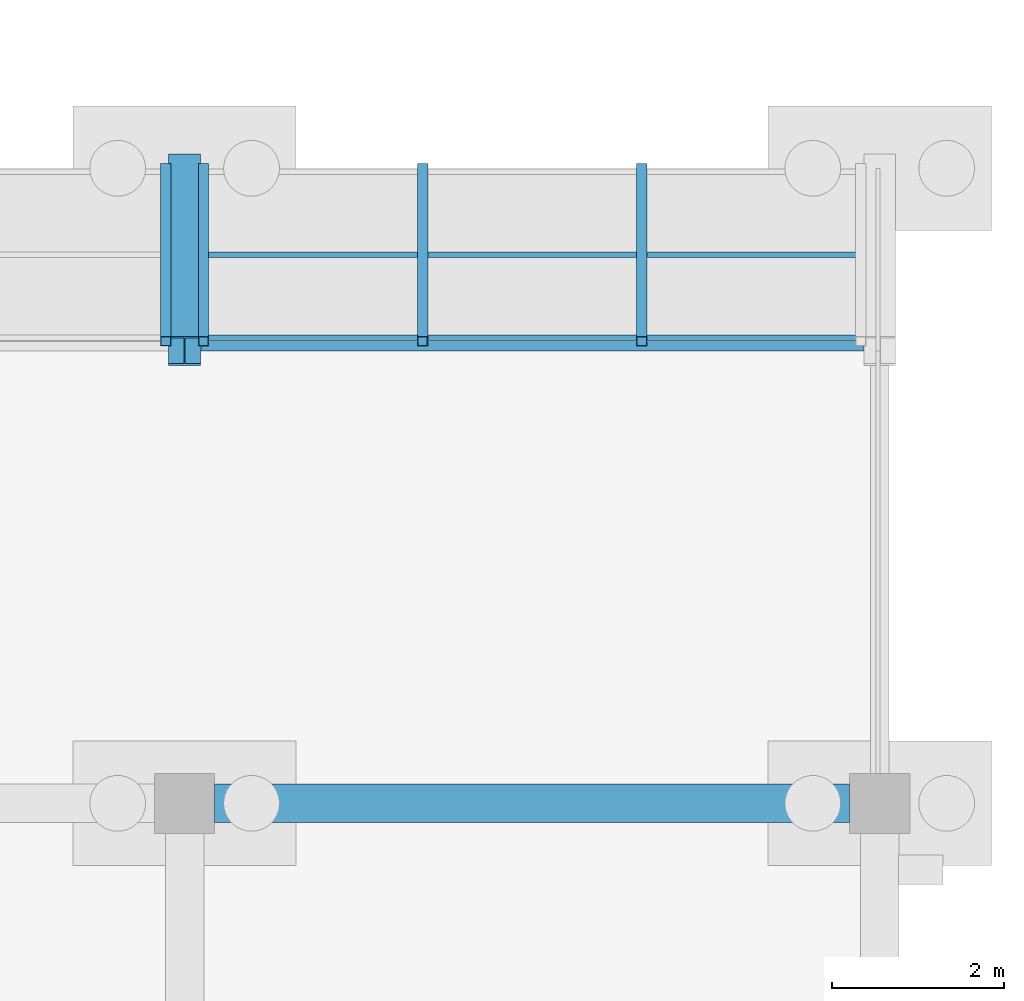
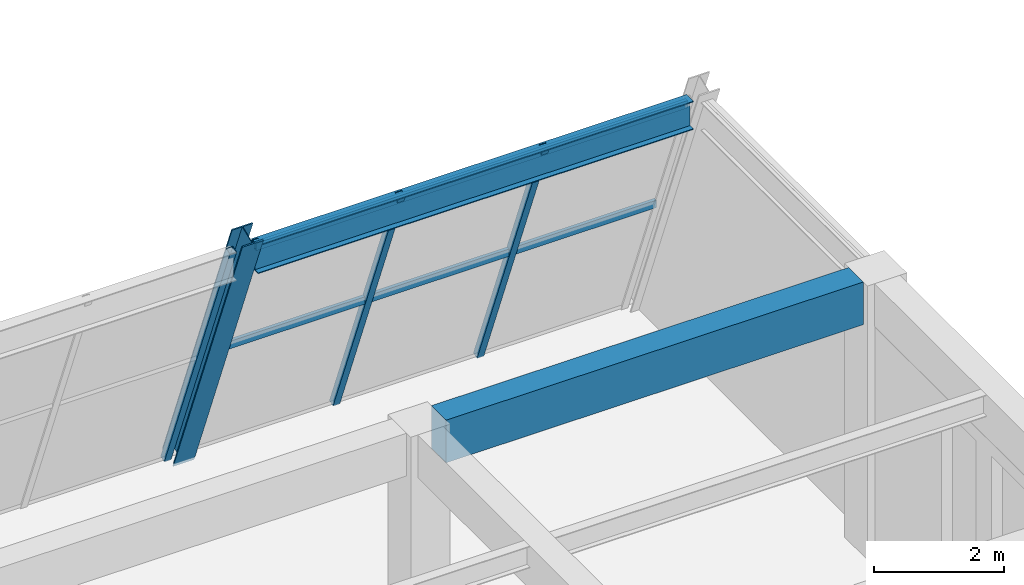
# One storey, part 86 of 140: 7 members, 2 beams, 2 elements without a shape of their own.
"""IFC4 building model written with IfcOpenShell, lengths in metres."""

from ifc_helpers import new_model, si_unit, direction, frame, origin, origin_2d, place, context, subcontext, project, spatial, rectangle, hollow_rectangle, i_section, extrude, material, material_profile, profile_set, type_object, element, aggregate, save


model = new_model("IFC4")

# Units and contexts
model_context = context("Model", 3, precision=1e-05, world=origin(), true_north=direction((0.0, 1.0)))
body_context = subcontext(model_context, "Body", "Model", "MODEL_VIEW")
ifc_project = project(units=[si_unit("LENGTHUNIT", "METRE"), si_unit("AREAUNIT", "SQUARE_METRE"), si_unit("VOLUMEUNIT", "CUBIC_METRE"), si_unit("PLANEANGLEUNIT", "RADIAN"), si_unit("MASSUNIT", "GRAM", prefix="KILO")], contexts=[model_context])

# Site, building, storey
site_placement = place(None, origin())
site = spatial("IfcSite", under=ifc_project, at=site_placement, CompositionType="ELEMENT")
building_placement = place(site_placement, origin())
building = spatial("IfcBuilding", under=site, at=building_placement, Name="Cimatlan Art Gallery", CompositionType="ELEMENT")
storey_placement = place(building_placement, origin())
storey = spatial("IfcBuildingStorey", under=building, at=storey_placement, Name="L00", CompositionType="ELEMENT", Elevation=0.0)

# Beams
ifc_material_1 = material(Name="Concrete C40/50", Category="concrete")
ifc_material_profile_1 = material_profile(ifc_material_1, rectangle(XDim=0.449951171875, YDim=0.800048828125, at=origin_2d()), Name="RC450X800")
ifc_profile_set_1 = profile_set([ifc_material_profile_1], Name="Concrete C40/50")
beam_type_1 = type_object("IfcBeamType", Name="BM-RC-450X800", PredefinedType="BEAM", material=ifc_profile_set_1)
beam_1_placement = place(storey_placement, frame((123.85009765625, 90.5, 4.735107421875), z_axis=(1.0, 0.0, 0.0), x_axis=(0.0, 1.0, 0.0)))
element("IfcBeam", 1, at=beam_1_placement, inside=storey, type_object=beam_type_1, Name="BM-X-L00-15-12", PredefinedType="BEAM", context=body_context, shape_type="SweptSolid", body=[
    extrude(rectangle(XDim=0.449951171875, YDim=0.800048828125, at=origin_2d()), origin(), (0.0, 0.0, 1.0), 7.39990234375),
])
ifc_material_2 = material(Name="Steel ASTM A992 Grade 50", Category="steel")
ifc_material_profile_2 = material_profile(ifc_material_2, i_section(OverallWidth=0.2099609375, OverallDepth=0.532958984375, WebThickness=0.01025390625, FlangeThickness=0.015625, at=origin_2d()), Name="W21X62")
ifc_profile_set_2 = profile_set([ifc_material_profile_2], Name="Steel ASTM A992 Grade 50")
beam_type_2 = type_object("IfcBeamType", Name="BM-STL-W21X62", PredefinedType="BEAM", material=ifc_profile_set_2)
beam_2_placement = place(storey_placement, frame((123.68994140625, 95.877197265625, 4.868408203125), z_axis=(1.0, 0.0, 0.0), x_axis=(0.0, 1.0, 0.0)))
element("IfcBeam", 2, at=beam_2_placement, inside=storey, type_object=beam_type_2, Name="BM-PRW-X-L00-B4-15", PredefinedType="BEAM", context=body_context, shape_type="SweptSolid", body=[
    extrude(i_section(OverallWidth=0.2099609375, OverallDepth=0.532958984375, WebThickness=0.01025390625, FlangeThickness=0.015625, at=origin_2d()), origin(), (0.0, 0.0, 1.0), 7.719970703125),
])

# Curtain wall, member
ifc_material_3 = material(Name="Raked steel-and-bronze lancet curtain wall", Category="steel")
curtain_wall_type = type_object("IfcCurtainWallType", Name="CW-RAK-07660X05503-B3", PredefinedType="NOTDEFINED", material=ifc_material_3)
curtain_wall_1_placement = place(storey_placement, origin())
curtain_wall_1 = element("IfcCurtainWall", 3, at=curtain_wall_1_placement, inside=storey, type_object=curtain_wall_type, Name="CW-PROW-L00-B4-14", PredefinedType="NOTDEFINED")
ifc_material_4 = material(Name="Steel ASTM A500 Grade C", Category="steel")
ifc_material_profile_3 = material_profile(ifc_material_4, hollow_rectangle(XDim=0.1201171875, YDim=0.1201171875, WallThickness=0.00634765625, at=origin_2d()), Name="HSS120X120X6")
ifc_profile_set_3 = profile_set([ifc_material_profile_3], Name="Steel ASTM A500 Grade C")
member_type_1 = type_object("IfcMemberType", Name="CW-MUL-RAK", PredefinedType="MULLION", material=ifc_profile_set_3)
member_1_placement = place(storey_placement, frame((123.280029296875, 97.89990234375, 0.0), z_axis=(0.0, -0.366459344578, 0.930434064709), x_axis=(1.0, 0.0, 0.0)))
member_1 = element("IfcMember", 4, at=member_1_placement, type_object=member_type_1, Name="CW-PROW-L00-B4-14-M4", PredefinedType="MULLION", context=body_context, shape_type="SweptSolid", body=[
    extrude(hollow_rectangle(XDim=0.1201171875, YDim=0.1201171875, WallThickness=0.00634765625, at=origin_2d()), origin(), (0.0, 0.0, 1.0), 5.5029296875),
])
aggregate(curtain_wall_1, [member_1])

# Curtain wall, members
curtain_wall_2_placement = place(storey_placement, origin())
curtain_wall_2 = element("IfcCurtainWall", 5, at=curtain_wall_2_placement, inside=storey, type_object=curtain_wall_type, Name="CW-PROW-L00-B4-15", PredefinedType="NOTDEFINED")
member_2_placement = place(storey_placement, frame((123.719970703125, 97.89990234375, 0.0), z_axis=(0.0, -0.366459344578, 0.930434064709), x_axis=(1.0, 0.0, 0.0)))
member_2 = element("IfcMember", 6, at=member_2_placement, type_object=member_type_1, Name="CW-PROW-L00-B4-15-M1", PredefinedType="MULLION", context=body_context, shape_type="SweptSolid", body=[
    extrude(hollow_rectangle(XDim=0.1201171875, YDim=0.1201171875, WallThickness=0.00634765625, at=origin_2d()), origin(), (0.0, 0.0, 1.0), 5.5029296875),
])
member_3_placement = place(storey_placement, frame((126.273193359375, 97.89990234375, 0.0), z_axis=(0.0, -0.366459344578, 0.930434064709), x_axis=(1.0, 0.0, 0.0)))
member_3 = element("IfcMember", 7, at=member_3_placement, type_object=member_type_1, Name="CW-PROW-L00-B4-15-M2", PredefinedType="MULLION", context=body_context, shape_type="SweptSolid", body=[
    extrude(hollow_rectangle(XDim=0.1201171875, YDim=0.1201171875, WallThickness=0.00634765625, at=origin_2d()), origin(), (0.0, 0.0, 1.0), 5.5029296875),
])
member_4_placement = place(storey_placement, frame((128.82666015625, 97.89990234375, 0.0), z_axis=(0.0, -0.366459344578, 0.930434064709), x_axis=(1.0, 0.0, 0.0)))
member_4 = element("IfcMember", 8, at=member_4_placement, type_object=member_type_1, Name="CW-PROW-L00-B4-15-M3", PredefinedType="MULLION", context=body_context, shape_type="SweptSolid", body=[
    extrude(hollow_rectangle(XDim=0.1201171875, YDim=0.1201171875, WallThickness=0.00634765625, at=origin_2d()), origin(), (0.0, 0.0, 1.0), 5.5029296875),
])
ifc_material_5 = material(Name="Anodised bronze aluminium 6063-T6", Category="aluminium")
ifc_material_profile_4 = material_profile(ifc_material_5, hollow_rectangle(XDim=0.06494140625, YDim=0.139892578125, WallThickness=0.00390625, at=origin_2d()), Name="ALU65X140X4")
ifc_profile_set_4 = profile_set([ifc_material_profile_4], Name="Anodised bronze aluminium 6063-T6")
member_type_2 = type_object("IfcMemberType", Name="CW-TRN-140", PredefinedType="USERDEFINED", material=ifc_profile_set_4)
member_5_placement = place(storey_placement, frame((123.719970703125, 96.8916015625, 2.56005859375), z_axis=(1.0, 0.0, 0.0), x_axis=(0.0, 1.0, 0.0)))
member_5 = element("IfcMember", 9, at=member_5_placement, type_object=member_type_2, Name="CW-PROW-L00-B4-15-T2", ObjectType="TRANSOM", PredefinedType="USERDEFINED", context=body_context, shape_type="SweptSolid", body=[
    extrude(hollow_rectangle(XDim=0.06494140625, YDim=0.139892578125, WallThickness=0.00390625, at=origin_2d()), origin(), (0.0, 0.0, 1.0), 7.659912109375),
])
member_6_placement = place(storey_placement, frame((123.719970703125, 95.923583984375, 5.017578125), z_axis=(1.0, 0.0, 0.0), x_axis=(0.0, 1.0, 0.0)))
member_6 = element("IfcMember", 10, at=member_6_placement, type_object=member_type_2, Name="CW-PROW-L00-B4-15-T3", ObjectType="TRANSOM", PredefinedType="USERDEFINED", context=body_context, shape_type="SweptSolid", body=[
    extrude(hollow_rectangle(XDim=0.06494140625, YDim=0.139892578125, WallThickness=0.00390625, at=origin_2d()), origin(), (0.0, 0.0, 1.0), 7.659912109375),
])
aggregate(curtain_wall_2, [member_2, member_3, member_4, member_5, member_6])

# Member
ifc_material_profile_5 = material_profile(ifc_material_2, i_section(OverallWidth=0.37109375, OverallDepth=0.364013671875, WebThickness=0.01318359375, FlangeThickness=0.021728515625, at=origin_2d()), Name="W14X109")
ifc_profile_set_5 = profile_set([ifc_material_profile_5], Name="Steel ASTM A992 Grade 50")
member_type_3 = type_object("IfcMemberType", Name="MBR-RAK-W14X109", PredefinedType="RAFTER", material=ifc_profile_set_5)
member_7_placement = place(storey_placement, frame((123.5, 97.89990234375, 0.0), z_axis=(0.0, -0.366482585354, 0.930424910797), x_axis=(1.0, 0.0, 0.0)))
element("IfcMember", 11, at=member_7_placement, inside=storey, type_object=member_type_3, Name="MBR-RAK-L00-B4-15", PredefinedType="RAFTER", context=body_context, shape_type="SweptSolid", body=[
    extrude(i_section(OverallWidth=0.37109375, OverallDepth=0.364013671875, WebThickness=0.01318359375, FlangeThickness=0.021728515625, at=origin_2d()), origin(), (0.0, 0.0, 1.0), 5.8037109375),
])

save(model, "model.ifc")
